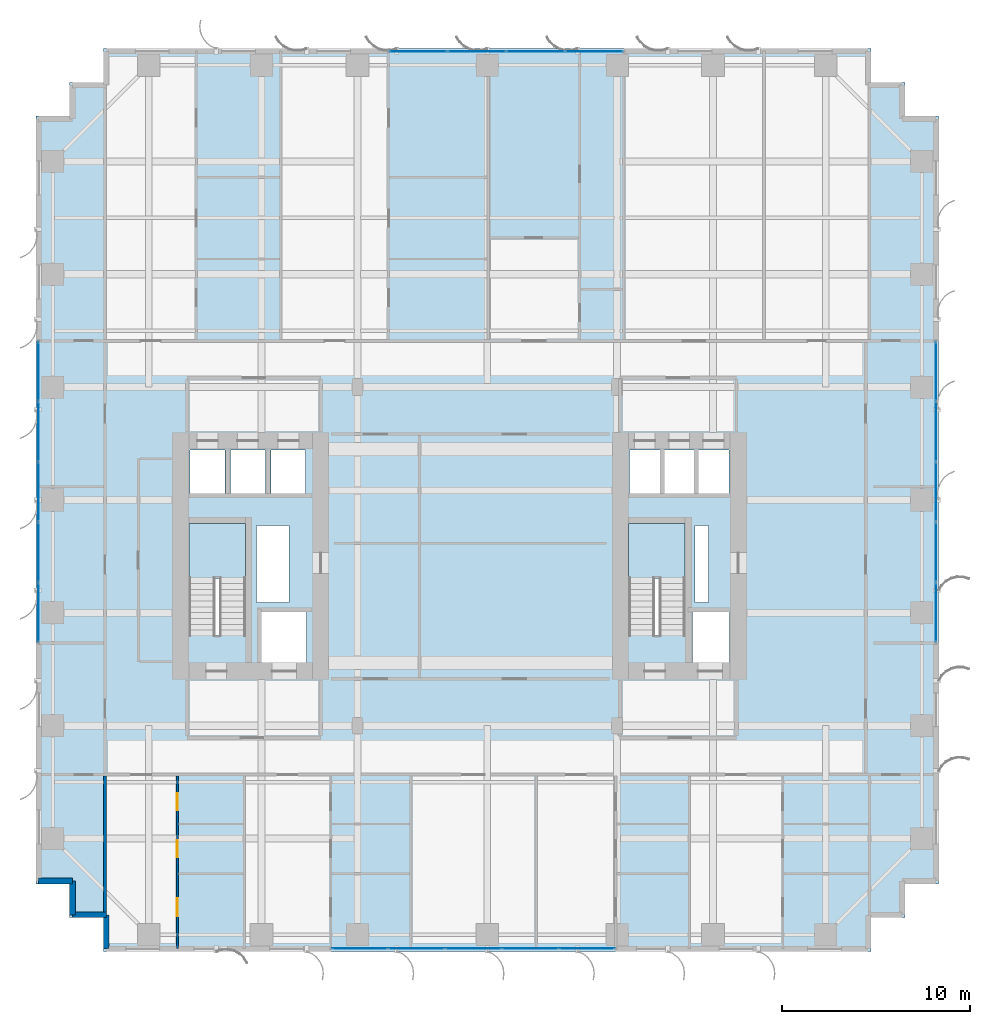
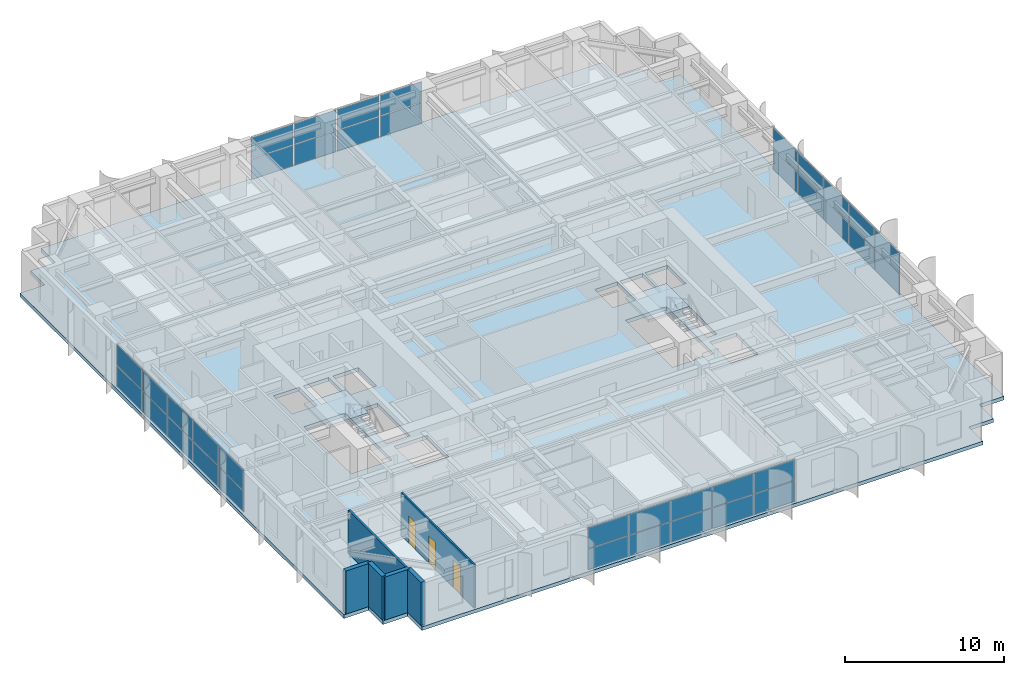
# One storey, part 14 of 23: 38 plates, 6 walls, 3 doors, 3 slabs, 3 openings, 6 elements without a shape of their own.
"""IFC4 building model written with IfcOpenShell, lengths in metres."""

from ifc_helpers import new_model, si_unit, direction, frame, frame_2d, origin, origin_2d, place, context, subcontext, project, spatial, polyline, rectangle, outline, extrude, source, transform, mapped, material, layer, layer_set, type_object, element, fill, aggregate, save


model = new_model("IFC4")

# Units and contexts
model_context = context("Model", 3, precision=1e-05, world=origin(), true_north=direction((0.0, 1.0)))
body_context = subcontext(model_context, "Body", "Model", "MODEL_VIEW")
ifc_project = project(units=[si_unit("LENGTHUNIT", "METRE"), si_unit("AREAUNIT", "SQUARE_METRE"), si_unit("VOLUMEUNIT", "CUBIC_METRE"), si_unit("PLANEANGLEUNIT", "RADIAN"), si_unit("MASSUNIT", "GRAM", prefix="KILO")], contexts=[model_context])

# Site, building, storey
site_placement = place(None, origin())
site = spatial("IfcSite", under=ifc_project, at=site_placement, CompositionType="ELEMENT")
building_placement = place(site_placement, origin())
building = spatial("IfcBuilding", under=site, at=building_placement, Name="Khoralis Quay Care Tower", CompositionType="ELEMENT")
storey_placement = place(building_placement, frame((0.0, 0.0, 33.300048828125)))
storey = spatial("IfcBuildingStorey", under=building, at=storey_placement, Name="L08", CompositionType="ELEMENT", Elevation=33.300048828125)

# Stair, slab
ifc_material_1 = material(Name="Precast concrete C45/55", Category="concrete")
stair_type = type_object("IfcStairType", Name="ST-TWR-DOGLEG-1400", PredefinedType="HALF_TURN_STAIR", material=ifc_material_1)
stair_1_placement = place(storey_placement, origin())
stair_1 = element("IfcStair", 1, at=stair_1_placement, inside=storey, type_object=stair_type, Name="L08 West Core Exit Stair ST-T1", PredefinedType="HALF_TURN_STAIR")
ifc_layer_1 = layer(ifc_material_1, 0.199951171875)
ifc_layer_set_1 = layer_set([ifc_layer_1], Name="Precast concrete C45/55")
slab_type_1 = type_object("IfcSlabType", Name="SLB-LANDING-200", PredefinedType="LANDING", material=ifc_layer_set_1)
slab_1_placement = place(storey_placement, frame((0.0, 0.0, 1.599853515625)))
slab_1 = element("IfcSlab", 2, at=slab_1_placement, type_object=slab_type_1, Name="ST-T1 landing 1", PredefinedType="LANDING", context=body_context, shape_type="SweptSolid", body=[
    extrude(outline(polyline([(11.14990234375, 19.840087890625), (11.14990234375, 22.75), (8.14990234375, 22.75), (8.14990234375, 19.840087890625), (11.14990234375, 19.840087890625)])), origin(), (0.0, 0.0, 1.0), 0.2001953125),
])
aggregate(stair_1, [slab_1])

stair_2_placement = place(storey_placement, origin())
stair_2 = element("IfcStair", 3, at=stair_2_placement, inside=storey, type_object=stair_type, Name="L08 East Core Exit Stair ST-T2", PredefinedType="HALF_TURN_STAIR")
slab_2_placement = place(storey_placement, frame((0.0, 0.0, 1.599853515625)))
slab_2 = element("IfcSlab", 4, at=slab_2_placement, type_object=slab_type_1, Name="ST-T2 landing 1", PredefinedType="LANDING", context=body_context, shape_type="SweptSolid", body=[
    extrude(outline(polyline([(34.52001953125, 19.840087890625), (34.52001953125, 22.75), (31.52001953125, 22.75), (31.52001953125, 19.840087890625), (34.52001953125, 19.840087890625)])), origin(), (0.0, 0.0, 1.0), 0.2001953125),
])
aggregate(stair_2, [slab_2])

# Slab
ifc_material_2 = material(Name="Concrete C40/50", Category="concrete")
ifc_layer_2 = layer(ifc_material_2, 0.280029296875)
ifc_layer_set_2 = layer_set([ifc_layer_2], Name="Concrete C40/50")
slab_type_2 = type_object("IfcSlabType", Name="SLB-TWR-280", PredefinedType="FLOOR", material=ifc_layer_set_2)
slab_3_placement = place(storey_placement, frame((0.0, 0.0, -0.280029296875)))
element("IfcSlab", 5, at=slab_3_placement, inside=storey, type_object=slab_type_2, Name="Tower Floor Slab L08", PredefinedType="FLOOR", context=body_context, shape_type="SweptSolid", body=[
    extrude(outline(polyline([(3.60009765625, 0.0), (44.39990234375, 0.0), (44.39990234375, 1.800048828125), (46.199951171875, 1.800048828125), (46.199951171875, 3.60009765625), (48.0, 3.60009765625), (48.0, 44.39990234375), (46.199951171875, 44.39990234375), (46.199951171875, 46.199951171875), (44.39990234375, 46.199951171875), (44.39990234375, 48.0), (3.60009765625, 48.0), (3.60009765625, 46.199951171875), (1.800048828125, 46.199951171875), (1.800048828125, 44.39990234375), (0.0, 44.39990234375), (0.0, 3.60009765625), (1.800048828125, 3.60009765625), (1.800048828125, 1.800048828125), (3.60009765625, 1.800048828125), (3.60009765625, 0.0)]), holes=[polyline([(11.14990234375, 16.800048828125), (11.14990234375, 22.75), (8.14990234375, 22.75), (8.14990234375, 16.800048828125), (11.14990234375, 16.800048828125)]), polyline([(34.52001953125, 16.800048828125), (34.52001953125, 22.75), (31.52001953125, 22.75), (31.52001953125, 16.800048828125), (34.52001953125, 16.800048828125)]), polyline([(12.0, 15.35009765625), (14.39990234375, 15.35009765625), (14.39990234375, 18.050048828125), (12.0, 18.050048828125), (12.0, 15.35009765625)]), polyline([(34.919921875, 15.35009765625), (36.8798828125, 15.35009765625), (36.8798828125, 18.050048828125), (34.919921875, 18.050048828125), (34.919921875, 15.35009765625)]), polyline([(8.199951171875, 24.35009765625), (10.050048828125, 24.35009765625), (10.050048828125, 26.64990234375), (8.199951171875, 26.64990234375), (8.199951171875, 24.35009765625)]), polyline([(31.550048828125, 24.35009765625), (33.199951171875, 24.35009765625), (33.199951171875, 26.64990234375), (31.550048828125, 26.64990234375), (31.550048828125, 24.35009765625)]), polyline([(10.35009765625, 24.35009765625), (12.199951171875, 24.35009765625), (12.199951171875, 26.64990234375), (10.35009765625, 26.64990234375), (10.35009765625, 24.35009765625)]), polyline([(33.3798828125, 24.35009765625), (35.030029296875, 24.35009765625), (35.030029296875, 26.64990234375), (33.3798828125, 26.64990234375), (33.3798828125, 24.35009765625)]), polyline([(12.5, 24.35009765625), (14.35009765625, 24.35009765625), (14.35009765625, 26.64990234375), (12.5, 26.64990234375), (12.5, 24.35009765625)]), polyline([(35.199951171875, 24.35009765625), (36.85009765625, 24.35009765625), (36.85009765625, 26.64990234375), (35.199951171875, 26.64990234375), (35.199951171875, 24.35009765625)]), polyline([(11.719970703125, 18.550048828125), (13.449951171875, 18.550048828125), (13.449951171875, 22.64990234375), (11.719970703125, 22.64990234375), (11.719970703125, 18.550048828125)]), polyline([(35.050048828125, 18.550048828125), (35.75, 18.550048828125), (35.75, 22.64990234375), (35.050048828125, 22.64990234375), (35.050048828125, 18.550048828125)])]), origin(), (0.0, 0.0, 1.0), 0.280029296875),
])

# Curtain wall, plates
ifc_material_3 = material(Name="Pale anodised aluminium", Category="aluminium")
ifc_layer_3 = layer(ifc_material_3, 0.179931640625)
ifc_layer_set_3 = layer_set([ifc_layer_3], Name="Pale anodised aluminium")
curtain_wall_type = type_object("IfcCurtainWallType", Name="CW-SYS-Z1", PredefinedType="NOTDEFINED", material=ifc_layer_set_3)
curtain_wall_1_placement = place(storey_placement, origin())
curtain_wall_1 = element("IfcCurtainWall", 6, at=curtain_wall_1_placement, inside=storey, type_object=curtain_wall_type, Name="L08 Unitised Curtain Wall CW-L08-P1-E5", PredefinedType="NOTDEFINED")
ifc_material_4 = material(Name="Low-E solar-control double glazing", Category="glass")
ifc_layer_4 = layer(ifc_material_4, 0.031982421875)
ifc_layer_set_4 = layer_set([ifc_layer_4], Name="Low-E solar-control double glazing")
plate_type = type_object("IfcPlateType", Name="PNL-VIS-32", PredefinedType="CURTAIN_PANEL", material=ifc_layer_set_4)
shared_shape_1 = source(origin(), body_context, "Body", "SweptSolid", [
    extrude(rectangle(XDim=3.1220703125, YDim=0.028076171875, at=origin_2d()), origin(), (0.0, 0.0, 1.0), 1.570068359375),
])
plate_1_placement = place(storey_placement, frame((47.85009765625, 18.02099609375, 0.06005859375), z_axis=(0.0, 0.0, 1.0), x_axis=(0.0, 1.0, 0.0)))
plate_1 = element("IfcPlate", 7, at=plate_1_placement, type_object=plate_type, Name="CW1 panel 1.1", PredefinedType="CURTAIN_PANEL", context=body_context, shape_type="MappedRepresentation", body=[
    mapped(shared_shape_1, transform((0.0, 0.0, 0.0), scale=1.0)),
])
plate_2_placement = place(storey_placement, frame((47.85009765625, 18.02099609375, 1.68994140625), z_axis=(0.0, 0.0, 1.0), x_axis=(0.0, 1.0, 0.0)))
plate_2 = element("IfcPlate", 8, at=plate_2_placement, type_object=plate_type, Name="CW1 panel 1.2", PredefinedType="CURTAIN_PANEL", context=body_context, shape_type="MappedRepresentation", body=[
    mapped(shared_shape_1, transform((0.0, 0.0, 0.0), scale=1.0)),
])
plate_3_placement = place(storey_placement, frame((47.85009765625, 30.839111328125, 0.06005859375), z_axis=(0.0, 0.0, 1.0), x_axis=(0.0, 1.0, 0.0)))
plate_3 = element("IfcPlate", 9, at=plate_3_placement, type_object=plate_type, Name="CW1 panel 5.1", PredefinedType="CURTAIN_PANEL", context=body_context, shape_type="MappedRepresentation", body=[
    mapped(shared_shape_1, transform((0.0, 0.0, 0.0), scale=1.0)),
])
plate_4_placement = place(storey_placement, frame((47.85009765625, 30.839111328125, 1.68994140625), z_axis=(0.0, 0.0, 1.0), x_axis=(0.0, 1.0, 0.0)))
plate_4 = element("IfcPlate", 10, at=plate_4_placement, type_object=plate_type, Name="CW1 panel 5.2", PredefinedType="CURTAIN_PANEL", context=body_context, shape_type="MappedRepresentation", body=[
    mapped(shared_shape_1, transform((0.0, 0.0, 0.0), scale=1.0)),
])

curtain_wall_2_placement = place(storey_placement, origin())
curtain_wall_2 = element("IfcCurtainWall", 11, at=curtain_wall_2_placement, inside=storey, type_object=curtain_wall_type, Name="L08 Unitised Curtain Wall CW-L08-P1-E15", PredefinedType="NOTDEFINED")
plate_5_placement = place(storey_placement, frame((0.14990234375, 30.839111328125, 0.06005859375), z_axis=(0.0, 0.0, 1.0), x_axis=(0.0, -1.0, 0.0)))
plate_5 = element("IfcPlate", 12, at=plate_5_placement, type_object=plate_type, Name="CW1 panel 1.1", PredefinedType="CURTAIN_PANEL", context=body_context, shape_type="MappedRepresentation", body=[
    mapped(shared_shape_1, transform((0.0, 0.0, 0.0), scale=1.0)),
])
plate_6_placement = place(storey_placement, frame((0.14990234375, 30.839111328125, 1.68994140625), z_axis=(0.0, 0.0, 1.0), x_axis=(0.0, -1.0, 0.0)))
plate_6 = element("IfcPlate", 13, at=plate_6_placement, type_object=plate_type, Name="CW1 panel 1.2", PredefinedType="CURTAIN_PANEL", context=body_context, shape_type="MappedRepresentation", body=[
    mapped(shared_shape_1, transform((0.0, 0.0, 0.0), scale=1.0)),
])
plate_7_placement = place(storey_placement, frame((0.14990234375, 18.02099609375, 0.06005859375), z_axis=(0.0, 0.0, 1.0), x_axis=(0.0, -1.0, 0.0)))
plate_7 = element("IfcPlate", 14, at=plate_7_placement, type_object=plate_type, Name="CW1 panel 5.1", PredefinedType="CURTAIN_PANEL", context=body_context, shape_type="MappedRepresentation", body=[
    mapped(shared_shape_1, transform((0.0, 0.0, 0.0), scale=1.0)),
])
plate_8_placement = place(storey_placement, frame((0.14990234375, 18.02099609375, 1.68994140625), z_axis=(0.0, 0.0, 1.0), x_axis=(0.0, -1.0, 0.0)))
plate_8 = element("IfcPlate", 15, at=plate_8_placement, type_object=plate_type, Name="CW1 panel 5.2", PredefinedType="CURTAIN_PANEL", context=body_context, shape_type="MappedRepresentation", body=[
    mapped(shared_shape_1, transform((0.0, 0.0, 0.0), scale=1.0)),
])

# Plate
shared_shape_2 = source(origin(), body_context, "Body", "SweptSolid", [
    extrude(rectangle(XDim=3.152099609375, YDim=0.028076171875, at=origin_2d()), origin(), (0.0, 0.0, 1.0), 1.570068359375),
])
plate_9_placement = place(storey_placement, frame((47.85009765625, 21.218017578125, 0.06005859375), z_axis=(0.0, 0.0, 1.0), x_axis=(0.0, 1.0, 0.0)))
plate_9 = element("IfcPlate", 16, at=plate_9_placement, type_object=plate_type, Name="CW1 panel 2.1", PredefinedType="CURTAIN_PANEL", context=body_context, shape_type="MappedRepresentation", body=[
    mapped(shared_shape_2, transform((0.0, 0.0, 0.0), scale=1.0)),
])

plate_10_placement = place(storey_placement, frame((47.85009765625, 21.218017578125, 1.68994140625), z_axis=(0.0, 0.0, 1.0), x_axis=(0.0, 1.0, 0.0)))
plate_10 = element("IfcPlate", 17, at=plate_10_placement, type_object=plate_type, Name="CW1 panel 2.2", PredefinedType="CURTAIN_PANEL", context=body_context, shape_type="MappedRepresentation", body=[
    mapped(shared_shape_2, transform((0.0, 0.0, 0.0), scale=1.0)),
])

plate_11_placement = place(storey_placement, frame((47.85009765625, 24.429931640625, 0.06005859375), z_axis=(0.0, 0.0, 1.0), x_axis=(0.0, 1.0, 0.0)))
plate_11 = element("IfcPlate", 18, at=plate_11_placement, type_object=plate_type, Name="CW1 panel 3.1", PredefinedType="CURTAIN_PANEL", context=body_context, shape_type="MappedRepresentation", body=[
    mapped(shared_shape_2, transform((0.0, 0.0, 0.0), scale=1.0)),
])

plate_12_placement = place(storey_placement, frame((47.85009765625, 24.429931640625, 1.68994140625), z_axis=(0.0, 0.0, 1.0), x_axis=(0.0, 1.0, 0.0)))
plate_12 = element("IfcPlate", 19, at=plate_12_placement, type_object=plate_type, Name="CW1 panel 3.2", PredefinedType="CURTAIN_PANEL", context=body_context, shape_type="MappedRepresentation", body=[
    mapped(shared_shape_2, transform((0.0, 0.0, 0.0), scale=1.0)),
])

plate_13_placement = place(storey_placement, frame((47.85009765625, 27.64208984375, 0.06005859375), z_axis=(0.0, 0.0, 1.0), x_axis=(0.0, 1.0, 0.0)))
plate_13 = element("IfcPlate", 20, at=plate_13_placement, type_object=plate_type, Name="CW1 panel 4.1", PredefinedType="CURTAIN_PANEL", context=body_context, shape_type="MappedRepresentation", body=[
    mapped(shared_shape_2, transform((0.0, 0.0, 0.0), scale=1.0)),
])

plate_14_placement = place(storey_placement, frame((47.85009765625, 27.64208984375, 1.68994140625), z_axis=(0.0, 0.0, 1.0), x_axis=(0.0, 1.0, 0.0)))
plate_14 = element("IfcPlate", 21, at=plate_14_placement, type_object=plate_type, Name="CW1 panel 4.2", PredefinedType="CURTAIN_PANEL", context=body_context, shape_type="MappedRepresentation", body=[
    mapped(shared_shape_2, transform((0.0, 0.0, 0.0), scale=1.0)),
])

aggregate(curtain_wall_1, [plate_1, plate_2, plate_9, plate_10, plate_11, plate_12, plate_13, plate_14, plate_3, plate_4])

plate_15_placement = place(storey_placement, frame((0.14990234375, 27.64208984375, 0.06005859375), z_axis=(0.0, 0.0, 1.0), x_axis=(0.0, -1.0, 0.0)))
plate_15 = element("IfcPlate", 22, at=plate_15_placement, type_object=plate_type, Name="CW1 panel 2.1", PredefinedType="CURTAIN_PANEL", context=body_context, shape_type="MappedRepresentation", body=[
    mapped(shared_shape_2, transform((0.0, 0.0, 0.0), scale=1.0)),
])

plate_16_placement = place(storey_placement, frame((0.14990234375, 27.64208984375, 1.68994140625), z_axis=(0.0, 0.0, 1.0), x_axis=(0.0, -1.0, 0.0)))
plate_16 = element("IfcPlate", 23, at=plate_16_placement, type_object=plate_type, Name="CW1 panel 2.2", PredefinedType="CURTAIN_PANEL", context=body_context, shape_type="MappedRepresentation", body=[
    mapped(shared_shape_2, transform((0.0, 0.0, 0.0), scale=1.0)),
])

plate_17_placement = place(storey_placement, frame((0.14990234375, 24.429931640625, 0.06005859375), z_axis=(0.0, 0.0, 1.0), x_axis=(0.0, -1.0, 0.0)))
plate_17 = element("IfcPlate", 24, at=plate_17_placement, type_object=plate_type, Name="CW1 panel 3.1", PredefinedType="CURTAIN_PANEL", context=body_context, shape_type="MappedRepresentation", body=[
    mapped(shared_shape_2, transform((0.0, 0.0, 0.0), scale=1.0)),
])

plate_18_placement = place(storey_placement, frame((0.14990234375, 24.429931640625, 1.68994140625), z_axis=(0.0, 0.0, 1.0), x_axis=(0.0, -1.0, 0.0)))
plate_18 = element("IfcPlate", 25, at=plate_18_placement, type_object=plate_type, Name="CW1 panel 3.2", PredefinedType="CURTAIN_PANEL", context=body_context, shape_type="MappedRepresentation", body=[
    mapped(shared_shape_2, transform((0.0, 0.0, 0.0), scale=1.0)),
])

plate_19_placement = place(storey_placement, frame((0.14990234375, 21.218017578125, 0.06005859375), z_axis=(0.0, 0.0, 1.0), x_axis=(0.0, -1.0, 0.0)))
plate_19 = element("IfcPlate", 26, at=plate_19_placement, type_object=plate_type, Name="CW1 panel 4.1", PredefinedType="CURTAIN_PANEL", context=body_context, shape_type="MappedRepresentation", body=[
    mapped(shared_shape_2, transform((0.0, 0.0, 0.0), scale=1.0)),
])

plate_20_placement = place(storey_placement, frame((0.14990234375, 21.218017578125, 1.68994140625), z_axis=(0.0, 0.0, 1.0), x_axis=(0.0, -1.0, 0.0)))
plate_20 = element("IfcPlate", 27, at=plate_20_placement, type_object=plate_type, Name="CW1 panel 4.2", PredefinedType="CURTAIN_PANEL", context=body_context, shape_type="MappedRepresentation", body=[
    mapped(shared_shape_2, transform((0.0, 0.0, 0.0), scale=1.0)),
])

aggregate(curtain_wall_2, [plate_5, plate_6, plate_15, plate_16, plate_17, plate_18, plate_19, plate_20, plate_7, plate_8])

# Curtain wall, plates
curtain_wall_3_placement = place(storey_placement, origin())
curtain_wall_3 = element("IfcCurtainWall", 28, at=curtain_wall_3_placement, inside=storey, type_object=curtain_wall_type, Name="L08 Unitised Curtain Wall CW-L08-P1-E0", PredefinedType="NOTDEFINED")
shared_shape_3 = source(origin(), body_context, "Body", "SweptSolid", [
    extrude(rectangle(XDim=2.938232421875, YDim=0.028076171875, at=origin_2d()), origin(), (0.0, 0.0, 1.0), 1.570068359375),
])
plate_21_placement = place(storey_placement, frame((17.216064453125, 0.14990234375, 0.06005859375), z_axis=(0.0, 0.0, 1.0), x_axis=(1.0, 0.0, 0.0)))
plate_21 = element("IfcPlate", 29, at=plate_21_placement, type_object=plate_type, Name="CW1 panel 1.1", PredefinedType="CURTAIN_PANEL", context=body_context, shape_type="MappedRepresentation", body=[
    mapped(shared_shape_3, transform((0.0, 0.0, 0.0), scale=1.0)),
])
plate_22_placement = place(storey_placement, frame((17.216064453125, 0.14990234375, 1.68994140625), z_axis=(0.0, 0.0, 1.0), x_axis=(1.0, 0.0, 0.0)))
plate_22 = element("IfcPlate", 30, at=plate_22_placement, type_object=plate_type, Name="CW1 panel 1.2", PredefinedType="CURTAIN_PANEL", context=body_context, shape_type="MappedRepresentation", body=[
    mapped(shared_shape_3, transform((0.0, 0.0, 0.0), scale=1.0)),
])
plate_23_placement = place(storey_placement, frame((29.298828125, 0.14990234375, 0.06005859375), z_axis=(0.0, 0.0, 1.0), x_axis=(1.0, 0.0, 0.0)))
plate_23 = element("IfcPlate", 31, at=plate_23_placement, type_object=plate_type, Name="CW1 panel 5.1", PredefinedType="CURTAIN_PANEL", context=body_context, shape_type="MappedRepresentation", body=[
    mapped(shared_shape_3, transform((0.0, 0.0, 0.0), scale=1.0)),
])
plate_24_placement = place(storey_placement, frame((29.298828125, 0.14990234375, 1.68994140625), z_axis=(0.0, 0.0, 1.0), x_axis=(1.0, 0.0, 0.0)))
plate_24 = element("IfcPlate", 32, at=plate_24_placement, type_object=plate_type, Name="CW1 panel 5.2", PredefinedType="CURTAIN_PANEL", context=body_context, shape_type="MappedRepresentation", body=[
    mapped(shared_shape_3, transform((0.0, 0.0, 0.0), scale=1.0)),
])
shared_shape_4 = source(origin(), body_context, "Body", "SweptSolid", [
    extrude(rectangle(XDim=2.96826171875, YDim=0.028076171875, at=origin_2d()), origin(), (0.0, 0.0, 1.0), 1.570068359375),
])
plate_25_placement = place(storey_placement, frame((20.229248046875, 0.14990234375, 0.06005859375), z_axis=(0.0, 0.0, 1.0), x_axis=(1.0, 0.0, 0.0)))
plate_25 = element("IfcPlate", 33, at=plate_25_placement, type_object=plate_type, Name="CW1 panel 2.1", PredefinedType="CURTAIN_PANEL", context=body_context, shape_type="MappedRepresentation", body=[
    mapped(shared_shape_4, transform((0.0, 0.0, 0.0), scale=1.0)),
])
plate_26_placement = place(storey_placement, frame((20.229248046875, 0.14990234375, 1.68994140625), z_axis=(0.0, 0.0, 1.0), x_axis=(1.0, 0.0, 0.0)))
plate_26 = element("IfcPlate", 34, at=plate_26_placement, type_object=plate_type, Name="CW1 panel 2.2", PredefinedType="CURTAIN_PANEL", context=body_context, shape_type="MappedRepresentation", body=[
    mapped(shared_shape_4, transform((0.0, 0.0, 0.0), scale=1.0)),
])
plate_27_placement = place(storey_placement, frame((23.257568359375, 0.14990234375, 0.06005859375), z_axis=(0.0, 0.0, 1.0), x_axis=(1.0, 0.0, 0.0)))
plate_27 = element("IfcPlate", 35, at=plate_27_placement, type_object=plate_type, Name="CW1 panel 3.1", PredefinedType="CURTAIN_PANEL", context=body_context, shape_type="MappedRepresentation", body=[
    mapped(shared_shape_4, transform((0.0, 0.0, 0.0), scale=1.0)),
])
plate_28_placement = place(storey_placement, frame((23.257568359375, 0.14990234375, 1.68994140625), z_axis=(0.0, 0.0, 1.0), x_axis=(1.0, 0.0, 0.0)))
plate_28 = element("IfcPlate", 36, at=plate_28_placement, type_object=plate_type, Name="CW1 panel 3.2", PredefinedType="CURTAIN_PANEL", context=body_context, shape_type="MappedRepresentation", body=[
    mapped(shared_shape_4, transform((0.0, 0.0, 0.0), scale=1.0)),
])
plate_29_placement = place(storey_placement, frame((26.28564453125, 0.14990234375, 0.06005859375), z_axis=(0.0, 0.0, 1.0), x_axis=(1.0, 0.0, 0.0)))
plate_29 = element("IfcPlate", 37, at=plate_29_placement, type_object=plate_type, Name="CW1 panel 4.1", PredefinedType="CURTAIN_PANEL", context=body_context, shape_type="MappedRepresentation", body=[
    mapped(shared_shape_4, transform((0.0, 0.0, 0.0), scale=1.0)),
])
plate_30_placement = place(storey_placement, frame((26.28564453125, 0.14990234375, 1.68994140625), z_axis=(0.0, 0.0, 1.0), x_axis=(1.0, 0.0, 0.0)))
plate_30 = element("IfcPlate", 38, at=plate_30_placement, type_object=plate_type, Name="CW1 panel 4.2", PredefinedType="CURTAIN_PANEL", context=body_context, shape_type="MappedRepresentation", body=[
    mapped(shared_shape_4, transform((0.0, 0.0, 0.0), scale=1.0)),
])
aggregate(curtain_wall_3, [plate_21, plate_22, plate_25, plate_26, plate_27, plate_28, plate_29, plate_30, plate_23, plate_24])

curtain_wall_4_placement = place(storey_placement, origin())
curtain_wall_4 = element("IfcCurtainWall", 39, at=curtain_wall_4_placement, inside=storey, type_object=curtain_wall_type, Name="L08 Unitised Curtain Wall CW-L08-P1-E10", PredefinedType="NOTDEFINED")
shared_shape_5 = source(origin(), body_context, "Body", "SweptSolid", [
    extrude(rectangle(XDim=3.035888671875, YDim=0.028076171875, at=origin_2d()), origin(), (0.0, 0.0, 1.0), 1.570068359375),
])
plate_31_placement = place(storey_placement, frame((29.681884765625, 47.85009765625, 0.06005859375), z_axis=(0.0, 0.0, 1.0), x_axis=(-1.0, 0.0, 0.0)))
plate_31 = element("IfcPlate", 40, at=plate_31_placement, type_object=plate_type, Name="CW1 panel 1.1", PredefinedType="CURTAIN_PANEL", context=body_context, shape_type="MappedRepresentation", body=[
    mapped(shared_shape_5, transform((0.0, 0.0, 0.0), scale=1.0)),
])
plate_32_placement = place(storey_placement, frame((29.681884765625, 47.85009765625, 1.68994140625), z_axis=(0.0, 0.0, 1.0), x_axis=(-1.0, 0.0, 0.0)))
plate_32 = element("IfcPlate", 41, at=plate_32_placement, type_object=plate_type, Name="CW1 panel 1.2", PredefinedType="CURTAIN_PANEL", context=body_context, shape_type="MappedRepresentation", body=[
    mapped(shared_shape_5, transform((0.0, 0.0, 0.0), scale=1.0)),
])
plate_33_placement = place(storey_placement, frame((20.333984375, 47.85009765625, 0.06005859375), z_axis=(0.0, 0.0, 1.0), x_axis=(-1.0, 0.0, 0.0)))
plate_33 = element("IfcPlate", 42, at=plate_33_placement, type_object=plate_type, Name="CW1 panel 4.1", PredefinedType="CURTAIN_PANEL", context=body_context, shape_type="MappedRepresentation", body=[
    mapped(shared_shape_5, transform((0.0, 0.0, 0.0), scale=1.0)),
])
plate_34_placement = place(storey_placement, frame((20.333984375, 47.85009765625, 1.68994140625), z_axis=(0.0, 0.0, 1.0), x_axis=(-1.0, 0.0, 0.0)))
plate_34 = element("IfcPlate", 43, at=plate_34_placement, type_object=plate_type, Name="CW1 panel 4.2", PredefinedType="CURTAIN_PANEL", context=body_context, shape_type="MappedRepresentation", body=[
    mapped(shared_shape_5, transform((0.0, 0.0, 0.0), scale=1.0)),
])
shared_shape_6 = source(origin(), body_context, "Body", "SweptSolid", [
    extrude(rectangle(XDim=3.06591796875, YDim=0.028076171875, at=origin_2d()), origin(), (0.0, 0.0, 1.0), 1.570068359375),
])
plate_35_placement = place(storey_placement, frame((26.571044921875, 47.85009765625, 0.06005859375), z_axis=(0.0, 0.0, 1.0), x_axis=(-1.0, 0.0, 0.0)))
plate_35 = element("IfcPlate", 44, at=plate_35_placement, type_object=plate_type, Name="CW1 panel 2.1", PredefinedType="CURTAIN_PANEL", context=body_context, shape_type="MappedRepresentation", body=[
    mapped(shared_shape_6, transform((0.0, 0.0, 0.0), scale=1.0)),
])
plate_36_placement = place(storey_placement, frame((26.571044921875, 47.85009765625, 1.68994140625), z_axis=(0.0, 0.0, 1.0), x_axis=(-1.0, 0.0, 0.0)))
plate_36 = element("IfcPlate", 45, at=plate_36_placement, type_object=plate_type, Name="CW1 panel 2.2", PredefinedType="CURTAIN_PANEL", context=body_context, shape_type="MappedRepresentation", body=[
    mapped(shared_shape_6, transform((0.0, 0.0, 0.0), scale=1.0)),
])
plate_37_placement = place(storey_placement, frame((23.445068359375, 47.85009765625, 0.06005859375), z_axis=(0.0, 0.0, 1.0), x_axis=(-1.0, 0.0, 0.0)))
plate_37 = element("IfcPlate", 46, at=plate_37_placement, type_object=plate_type, Name="CW1 panel 3.1", PredefinedType="CURTAIN_PANEL", context=body_context, shape_type="MappedRepresentation", body=[
    mapped(shared_shape_6, transform((0.0, 0.0, 0.0), scale=1.0)),
])
plate_38_placement = place(storey_placement, frame((23.445068359375, 47.85009765625, 1.68994140625), z_axis=(0.0, 0.0, 1.0), x_axis=(-1.0, 0.0, 0.0)))
plate_38 = element("IfcPlate", 47, at=plate_38_placement, type_object=plate_type, Name="CW1 panel 3.2", PredefinedType="CURTAIN_PANEL", context=body_context, shape_type="MappedRepresentation", body=[
    mapped(shared_shape_6, transform((0.0, 0.0, 0.0), scale=1.0)),
])
aggregate(curtain_wall_4, [plate_31, plate_32, plate_35, plate_36, plate_37, plate_38, plate_33, plate_34])

# Walls
ifc_layer_5 = layer(ifc_material_1, 0.300048828125)
ifc_layer_set_5 = layer_set([ifc_layer_5], Name="Precast concrete C45/55")
wall_type_1 = type_object("IfcWallType", Name="WL-EXT-REF-300", PredefinedType="SOLIDWALL", material=ifc_layer_set_5)
for number, where, z_axis, x_axis, name in (
    (48, (0.14990234375, 3.75, 0.0), (0.0, 0.0, 1.0), (1.0, 0.0, 0.0), "L08 External Facade Wall WL-EXT-L08-P1-C16"),
    (49, (1.949951171875, 3.75, 0.0), (0.0, 0.0, 1.0), (0.0, -1.0, 0.0), "L08 External Facade Wall WL-EXT-L08-P1-C17"),
    (50, (1.949951171875, 1.949951171875, 0.0), (0.0, 0.0, 1.0), (1.0, 0.0, 0.0), "L08 External Facade Wall WL-EXT-L08-P1-C18"),
    (51, (3.75, 1.949951171875, 0.0), (0.0, 0.0, 1.0), (0.0, -1.0, 0.0), "L08 External Facade Wall WL-EXT-L08-P1-C19"),
):
    element("IfcWall", number, at=place(storey_placement, frame(where, z_axis=z_axis, x_axis=x_axis)), inside=storey, type_object=wall_type_1, Name=name, PredefinedType="SOLIDWALL", context=body_context, shape_type="SweptSolid", body=[
        extrude(rectangle(XDim=1.800048828125, YDim=0.300048828125, at=frame_2d((0.89990234375, 0.0))), origin(), (0.0, 0.0, 1.0), 3.320068359375),
    ])

# Wall, openings, doors
ifc_material_5 = material(Name="Gypsum plasterboard on acoustic metal stud")
ifc_layer_6 = layer(ifc_material_5, 0.114990234375)
ifc_layer_set_6 = layer_set([ifc_layer_6], Name="Gypsum plasterboard on acoustic metal stud")
wall_type_2 = type_object("IfcWallType", Name="WL-PART-115", PredefinedType="PARTITIONING", material=ifc_layer_set_6)
wall_1_placement = place(storey_placement, frame((7.528076171875, 0.14501953125, 0.0), z_axis=(0.0, 0.0, 1.0), x_axis=(0.0, 1.0, 0.0)))
wall_1 = element("IfcWall", 52, at=wall_1_placement, inside=storey, type_object=wall_type_2, Name="L08 Unit 0 Internal Wall", PredefinedType="PARTITIONING", context=body_context, shape_type="SweptSolid", body=[
    extrude(rectangle(XDim=9.177490234375, YDim=0.114990234375, at=frame_2d((4.5888671875, 0.0))), origin(), (0.0, 0.0, 1.0), 3.320068359375),
])
opening_1_placement = place(wall_1_placement, frame((1.722900390625, 0.0, 0.0)))
opening_1 = element("IfcOpeningElement", 53, at=opening_1_placement, cuts=wall_1, Name="Opening ID1", PredefinedType="OPENING", context=body_context, shape_type="SweptSolid", body=[
    extrude(rectangle(XDim=0.949951171875, YDim=2.10009765625, at=frame_2d((0.47509765625, 1.050048828125))), frame((0.0, 0.0673828125, 0.0), z_axis=(0.0, -1.0, 0.0), x_axis=(1.0, 0.0, 0.0)), (0.0, 0.0, 1.0), 0.135009765625),
])
opening_2_placement = place(wall_1_placement, frame((4.85693359375, 0.0, 0.0)))
opening_2 = element("IfcOpeningElement", 54, at=opening_2_placement, cuts=wall_1, Name="Opening WD1", PredefinedType="OPENING", context=body_context, shape_type="SweptSolid", body=[
    extrude(rectangle(XDim=0.89990234375, YDim=2.10009765625, at=frame_2d((0.449951171875, 1.050048828125))), frame((0.0, 0.0673828125, 0.0), z_axis=(0.0, -1.0, 0.0), x_axis=(1.0, 0.0, 0.0)), (0.0, 0.0, 1.0), 0.135009765625),
])
opening_3_placement = place(wall_1_placement, frame((7.3740234375, 0.0, 0.0)))
opening_3 = element("IfcOpeningElement", 55, at=opening_3_placement, cuts=wall_1, Name="Opening WD1", PredefinedType="OPENING", context=body_context, shape_type="SweptSolid", body=[
    extrude(rectangle(XDim=0.89990234375, YDim=2.10009765625, at=frame_2d((0.449951171875, 1.050048828125))), frame((0.0, 0.0673828125, 0.0), z_axis=(0.0, -1.0, 0.0), x_axis=(1.0, 0.0, 0.0)), (0.0, 0.0, 1.0), 0.135009765625),
])
ifc_material_6 = material(Name="Acoustic hardwood timber", Category="wood")
door_type_1 = type_object("IfcDoorType", Name="DR-BATH-900X2100", OperationType="NOTDEFINED", PredefinedType="DOOR", material=ifc_material_6)
shared_shape_7 = source(origin(), body_context, "Body", "SweptSolid", [
    extrude(rectangle(XDim=0.89990234375, YDim=2.10009765625, at=frame_2d((0.449951171875, 1.050048828125))), frame((0.0, 0.02490234375, 0.0), z_axis=(0.0, -1.0, 0.0), x_axis=(1.0, 0.0, 0.0)), (0.0, 0.0, 1.0), 0.050048828125),
])
door_1_placement = place(opening_2_placement, frame((0.89990234375, 0.0, 0.0), z_axis=(0.0, 0.0, 1.0), x_axis=(-1.0, 0.0, 0.0)))
door_1 = element("IfcDoor", 56, at=door_1_placement, inside=storey, type_object=door_type_1, Name="L08 Apartment SB0 KIT Door", OperationType="SINGLE_SWING_RIGHT", OverallHeight=2.10009765625, OverallWidth=0.89990234375, PredefinedType="DOOR", context=body_context, shape_type="MappedRepresentation", body=[
    mapped(shared_shape_7, transform((0.0, 0.0, 0.0), scale=1.0)),
])
fill(opening_2, door_1)
door_2_placement = place(opening_3_placement, frame((0.89990234375, 0.0, 0.0), z_axis=(0.0, 0.0, 1.0), x_axis=(-1.0, 0.0, 0.0)))
door_2 = element("IfcDoor", 57, at=door_2_placement, inside=storey, type_object=door_type_1, Name="L08 Apartment SB0 BTH Door", OperationType="SINGLE_SWING_LEFT", OverallHeight=2.10009765625, OverallWidth=0.89990234375, PredefinedType="DOOR", context=body_context, shape_type="MappedRepresentation", body=[
    mapped(shared_shape_7, transform((0.0, 0.0, 0.0), scale=1.0)),
])
fill(opening_3, door_2)
door_type_2 = type_object("IfcDoorType", Name="DR-ROOM-950X2100", OperationType="NOTDEFINED", PredefinedType="DOOR", material=ifc_material_6)
shared_shape_8 = source(origin(), body_context, "Body", "SweptSolid", [
    extrude(rectangle(XDim=0.949951171875, YDim=2.10009765625, at=frame_2d((0.47509765625, 1.050048828125))), frame((0.0, 0.02490234375, 0.0), z_axis=(0.0, -1.0, 0.0), x_axis=(1.0, 0.0, 0.0)), (0.0, 0.0, 1.0), 0.050048828125),
])
door_3_placement = place(opening_1_placement, frame((0.949951171875, 0.0, 0.0), z_axis=(0.0, 0.0, 1.0), x_axis=(-1.0, 0.0, 0.0)))
door_3 = element("IfcDoor", 58, at=door_3_placement, inside=storey, type_object=door_type_2, Name="L08 Apartment SB0 BED Door", OperationType="SINGLE_SWING_LEFT", OverallHeight=2.10009765625, OverallWidth=0.949951171875, PredefinedType="DOOR", context=body_context, shape_type="MappedRepresentation", body=[
    mapped(shared_shape_8, transform((0.0, 0.0, 0.0), scale=1.0)),
])
fill(opening_1, door_3)

# Wall
ifc_layer_7 = layer(ifc_material_5, 0.139892578125)
ifc_layer_set_7 = layer_set([ifc_layer_7], Name="Gypsum plasterboard on acoustic metal stud")
wall_type_3 = type_object("IfcWallType", Name="WL-UNIT-140", PredefinedType="PARTITIONING", material=ifc_layer_set_7)
wall_2_placement = place(storey_placement, frame((3.679931640625, 1.945068359375, 0.0), z_axis=(0.0, 0.0, 1.0), x_axis=(0.0, 1.0, 0.0)))
element("IfcWall", 59, at=wall_2_placement, inside=storey, type_object=wall_type_3, Name="L08 SB Demising Wall 0", PredefinedType="PARTITIONING", context=body_context, shape_type="SweptSolid", body=[
    extrude(rectangle(XDim=7.37744140625, YDim=0.139892578125, at=frame_2d((3.688720703125, 0.0))), origin(), (0.0, 0.0, 1.0), 3.320068359375),
])

save(model, "model.ifc")
